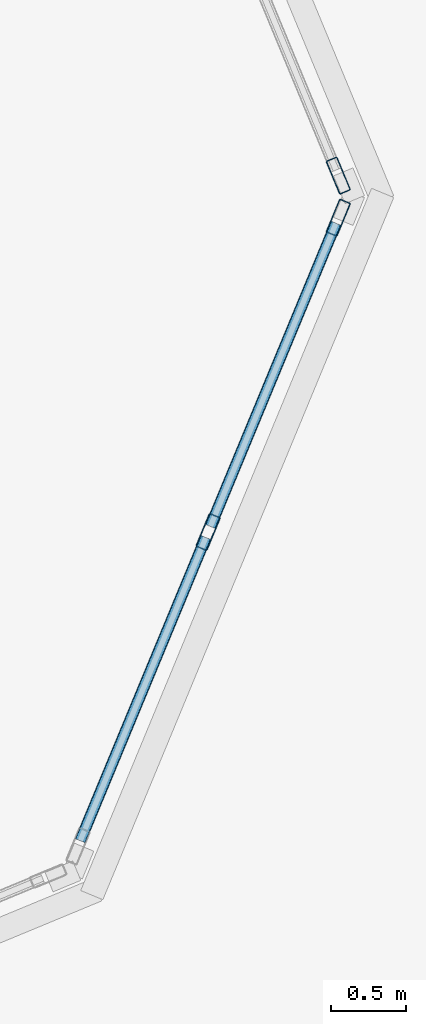
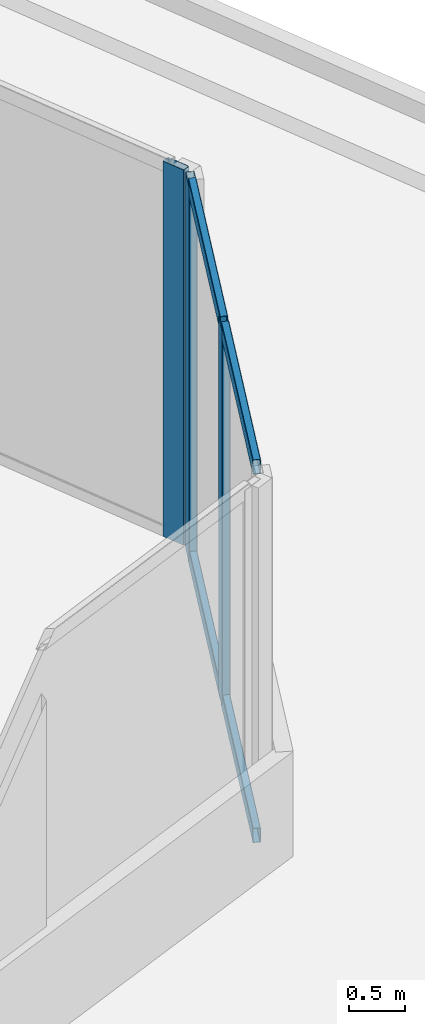
# One storey, part 7 of 11: 7 members, 2 elements without a shape of their own.
"""IFC4 building model written with IfcOpenShell, lengths in metres."""

from ifc_helpers import new_model, si_unit, direction, frame, origin, origin_2d, place, context, subcontext, project, spatial, hollow_rectangle, extrude, source, transform, mapped, material, material_profile, profile_set, type_object, element, aggregate, save


model = new_model("IFC4")

# Units and contexts
model_context = context("Model", 3, precision=1e-05, world=origin(), true_north=direction((0.0, 1.0)))
body_context = subcontext(model_context, "Body", "Model", "MODEL_VIEW")
ifc_project = project(units=[si_unit("LENGTHUNIT", "METRE"), si_unit("AREAUNIT", "SQUARE_METRE"), si_unit("VOLUMEUNIT", "CUBIC_METRE"), si_unit("PLANEANGLEUNIT", "RADIAN"), si_unit("MASSUNIT", "GRAM", prefix="KILO")], contexts=[model_context])

# Site, building, storey
site_placement = place(None, origin())
site = spatial("IfcSite", under=ifc_project, at=site_placement, CompositionType="ELEMENT")
building_placement = place(site_placement, origin())
building = spatial("IfcBuilding", under=site, at=building_placement, Name="Torre Montelarca", CompositionType="ELEMENT")
storey_placement = place(building_placement, frame((0.0, 0.0, 366.0)))
storey = spatial("IfcBuildingStorey", under=building, at=storey_placement, Name="L82", CompositionType="ELEMENT", Elevation=366.0)

# Curtain wall, members
ifc_material_1 = material(Name="Amber translucent laminated glass", Category="glass")
curtain_wall_type = type_object("IfcCurtainWallType", Name="CW-SYS-LANT", PredefinedType="USERDEFINED", material=ifc_material_1)
curtain_wall_1_placement = place(storey_placement, origin())
curtain_wall_1 = element("IfcCurtainWall", 1, at=curtain_wall_1_placement, inside=storey, type_object=curtain_wall_type, Name="L82 Curtain Wall Run CW-T3-L82-E04-B1", ObjectType="TRANSLUCENT LANTERN", PredefinedType="USERDEFINED")
ifc_material_2 = material(Name="Anodised aluminium AA 6063-T6", Category="aluminium")
ifc_material_profile_1 = material_profile(ifc_material_2, hollow_rectangle(XDim=0.080078125, YDim=0.239990234375, WallThickness=0.0048828125, InnerFilletRadius=0.0048828125, OuterFilletRadius=0.010009765625, at=origin_2d()), Name="ALU80X240X5", Category="aluminium")
ifc_profile_set_1 = profile_set([ifc_material_profile_1], Name="Anodised aluminium AA 6063-T6")
member_type_1 = type_object("IfcMemberType", Name="CWM-ALU240", PredefinedType="MULLION", material=ifc_profile_set_1)
shared_shape_1 = source(origin(), body_context, "Body", "SweptSolid", [
    extrude(hollow_rectangle(XDim=0.080078125, YDim=0.239990234375, WallThickness=0.0048828125, InnerFilletRadius=0.0048828125, OuterFilletRadius=0.010009765625, at=origin_2d()), origin(), (0.0, 0.0, 1.0), 4.1201171875),
])
member_1_placement = place(storey_placement, frame((32.994384765625, 26.0908203125, 0.0), z_axis=(0.0, 0.0, 1.0), x_axis=(-0.923882760527, 0.382675639152, 0.0)))
member_1 = element("IfcMember", 2, at=member_1_placement, type_object=member_type_1, Name="CW mullion 2", PredefinedType="MULLION", context=body_context, shape_type="MappedRepresentation", body=[
    mapped(shared_shape_1, transform((0.0, 0.0, 0.0), scale=1.0)),
])
member_2_placement = place(storey_placement, frame((33.86279296875, 28.187255859375, 0.0), z_axis=(0.0, 0.0, 1.0), x_axis=(-0.923882760527, 0.382675639152, 0.0)))
member_2 = element("IfcMember", 3, at=member_2_placement, type_object=member_type_1, Name="CW mullion 3", PredefinedType="MULLION", context=body_context, shape_type="MappedRepresentation", body=[
    mapped(shared_shape_1, transform((0.0, 0.0, 0.0), scale=1.0)),
])

# Curtain wall, member
curtain_wall_2_placement = place(storey_placement, origin())
curtain_wall_2 = element("IfcCurtainWall", 4, at=curtain_wall_2_placement, inside=storey, type_object=curtain_wall_type, Name="L82 Curtain Wall Run CW-T3-L82-E05-B1", ObjectType="TRANSLUCENT LANTERN", PredefinedType="USERDEFINED")
member_3_placement = place(storey_placement, frame((33.86279296875, 28.468017578125, 0.0), z_axis=(0.0, 0.0, 1.0), x_axis=(-0.92387961246, -0.382683239352, 0.0)))
member_3 = element("IfcMember", 5, at=member_3_placement, type_object=member_type_1, Name="CW mullion 1", PredefinedType="MULLION", context=body_context, shape_type="MappedRepresentation", body=[
    mapped(shared_shape_1, transform((0.0, 0.0, 0.0), scale=1.0)),
])
aggregate(curtain_wall_2, [member_3])

# Member
ifc_material_profile_2 = material_profile(ifc_material_2, hollow_rectangle(XDim=0.074951171875, YDim=0.159912109375, WallThickness=0.0048828125, InnerFilletRadius=0.0048828125, OuterFilletRadius=0.010009765625, at=origin_2d()), Name="ALU75X160X5", Category="aluminium")
ifc_profile_set_2 = profile_set([ifc_material_profile_2], Name="Anodised aluminium AA 6063-T6")
member_type_2 = type_object("IfcMemberType", Name="CWT-ALU160", PredefinedType="USERDEFINED", material=ifc_profile_set_2)
shared_shape_2 = source(origin(), body_context, "Body", "SweptSolid", [
    extrude(hollow_rectangle(XDim=0.074951171875, YDim=0.159912109375, WallThickness=0.0048828125, InnerFilletRadius=0.0048828125, OuterFilletRadius=0.010009765625, at=origin_2d()), origin(), (0.0, 0.0, 1.0), 2.18896484375),
])
member_4_placement = place(storey_placement, frame((32.141357421875, 24.031494140625, 0.03759765625), z_axis=(0.382650575638, 0.923893141529, 0.0), x_axis=(-0.923893141529, 0.382650575638, 0.0)))
member_4 = element("IfcMember", 6, at=member_4_placement, type_object=member_type_2, Name="CW transom 1.1", ObjectType="TRANSOM", PredefinedType="USERDEFINED", context=body_context, shape_type="MappedRepresentation", body=[
    mapped(shared_shape_2, transform((0.0, 0.0, 0.0), scale=1.0)),
])

member_5_placement = place(storey_placement, frame((32.141357421875, 24.031494140625, 4.08251953125), z_axis=(0.382650575638, 0.923893141529, 0.0), x_axis=(-0.923893141529, 0.382650575638, 0.0)))
member_5 = element("IfcMember", 7, at=member_5_placement, type_object=member_type_2, Name="CW transom 1.2", ObjectType="TRANSOM", PredefinedType="USERDEFINED", context=body_context, shape_type="MappedRepresentation", body=[
    mapped(shared_shape_2, transform((0.0, 0.0, 0.0), scale=1.0)),
])

member_6_placement = place(storey_placement, frame((33.009765625, 26.127685546875, 0.03759765625), z_axis=(0.382650575638, 0.923893141529, 0.0), x_axis=(-0.923893141529, 0.382650575638, 0.0)))
member_6 = element("IfcMember", 8, at=member_6_placement, type_object=member_type_2, Name="CW transom 2.1", ObjectType="TRANSOM", PredefinedType="USERDEFINED", context=body_context, shape_type="MappedRepresentation", body=[
    mapped(shared_shape_2, transform((0.0, 0.0, 0.0), scale=1.0)),
])

member_7_placement = place(storey_placement, frame((33.009765625, 26.127685546875, 4.08251953125), z_axis=(0.382650575638, 0.923893141529, 0.0), x_axis=(-0.923893141529, 0.382650575638, 0.0)))
member_7 = element("IfcMember", 9, at=member_7_placement, type_object=member_type_2, Name="CW transom 2.2", ObjectType="TRANSOM", PredefinedType="USERDEFINED", context=body_context, shape_type="MappedRepresentation", body=[
    mapped(shared_shape_2, transform((0.0, 0.0, 0.0), scale=1.0)),
])

aggregate(curtain_wall_1, [member_1, member_2, member_4, member_5, member_6, member_7])

save(model, "model.ifc")
